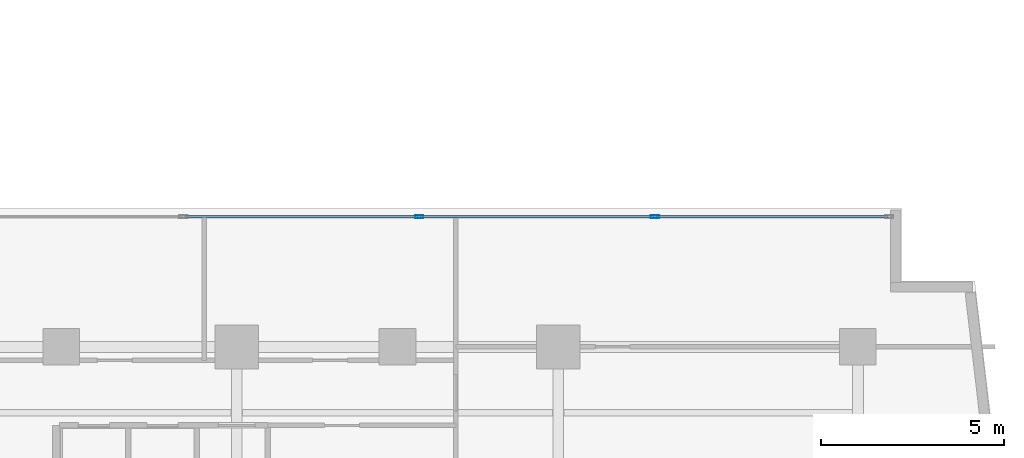
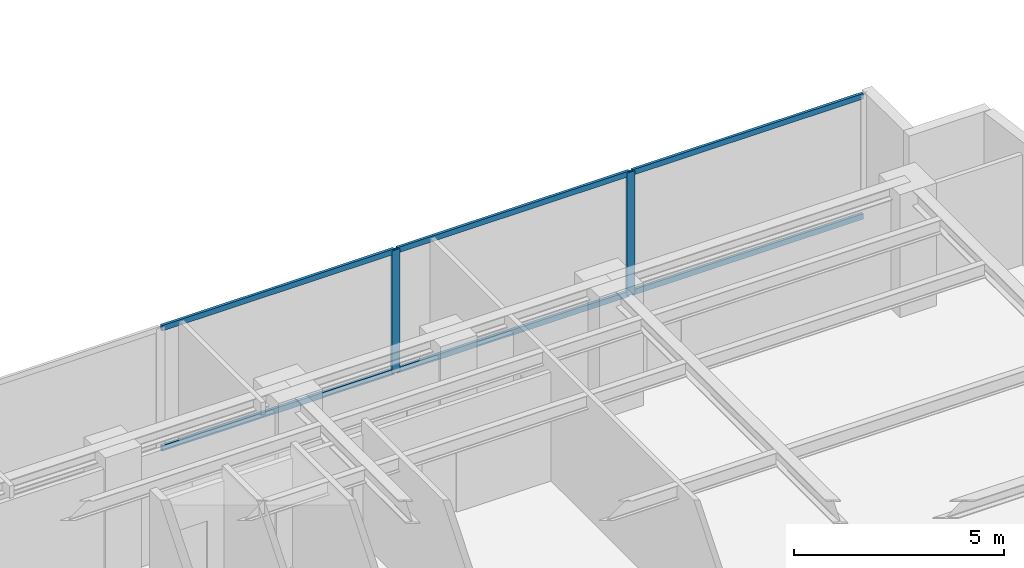
# One storey, part 13 of 24: 8 members, 1 element without a shape of its own.
"""IFC4 building model written with IfcOpenShell, lengths in metres."""

from ifc_helpers import new_model, si_unit, direction, frame, origin, origin_with_axes, origin_2d, place, context, subcontext, project, spatial, hollow_rectangle, extrude, source, transform, mapped, material, layer, layer_set, material_profile, profile_set, type_object, element, aggregate, save


model = new_model("IFC4")

# Units and contexts
model_context = context("Model", 3, precision=1e-05, world=origin(), true_north=direction((0.0, 1.0)))
body_context = subcontext(model_context, "Body", "Model", "MODEL_VIEW")
ifc_project = project(units=[si_unit("LENGTHUNIT", "METRE"), si_unit("AREAUNIT", "SQUARE_METRE"), si_unit("VOLUMEUNIT", "CUBIC_METRE"), si_unit("PLANEANGLEUNIT", "RADIAN"), si_unit("MASSUNIT", "GRAM", prefix="KILO")], contexts=[model_context])

# Site, building, storey
site_placement = place(None, origin())
site = spatial("IfcSite", under=ifc_project, at=site_placement, CompositionType="ELEMENT")
building_placement = place(site_placement, origin())
building = spatial("IfcBuilding", under=site, at=building_placement, Name="Kolvaren Waterfront Exchange", CompositionType="ELEMENT")
storey_placement = place(building_placement, frame((0.0, 0.0, 184.199951171875)))
storey = spatial("IfcBuildingStorey", under=building, at=storey_placement, Name="L47", CompositionType="ELEMENT", Elevation=184.199951171875)

# Curtain wall, members
ifc_material_1 = material(Name="Anodised bronze aluminium 6063-T6", Category="aluminium")
ifc_layer = layer(ifc_material_1, 0.219970703125, Name="Anodised bronze aluminium 6063-T6")
ifc_layer_set = layer_set([ifc_layer], Name="Anodised bronze aluminium 6063-T6")
curtain_wall_type = type_object("IfcCurtainWallType", Name="ARC-CW-SYS1", PredefinedType="USERDEFINED", material=ifc_layer_set)
curtain_wall_placement = place(storey_placement, origin())
curtain_wall = element("IfcCurtainWall", 1, at=curtain_wall_placement, inside=storey, type_object=curtain_wall_type, Name="L47 stick curtain wall CW1 (CW-L47-EN)", ObjectType="STICK CURTAIN WALL", PredefinedType="USERDEFINED")
ifc_material_2 = material(Name="Anodised aluminium 6063-T6", Category="aluminium")
ifc_material_profile_1 = material_profile(ifc_material_2, hollow_rectangle(XDim=0.080078125, YDim=0.219970703125, WallThickness=0.0048828125, at=origin_2d()), Name="ALU-MUL-220x80x5")
ifc_profile_set_1 = profile_set([ifc_material_profile_1], Name="Anodised aluminium 6063-T6")
member_type_1 = type_object("IfcMemberType", Name="ARC-CWM-220", PredefinedType="MULLION", material=ifc_profile_set_1)
shared_shape_1 = source(origin_with_axes(), body_context, "Body", "SweptSolid", [
    extrude(hollow_rectangle(XDim=0.080078125, YDim=0.219970703125, WallThickness=0.0048828125, at=origin_2d()), origin(), (0.0, 0.0, 1.0), 3.56005859375),
])
member_1_placement = place(storey_placement, frame((41.794921875, 20.9599609375, 0.0), z_axis=(0.0, 0.0, 1.0), x_axis=(0.0, 1.0, 0.0)))
member_1 = element("IfcMember", 2, at=member_1_placement, type_object=member_type_1, Name="CW1 mullion 3", PredefinedType="MULLION", context=body_context, shape_type="MappedRepresentation", body=[
    mapped(shared_shape_1, transform((0.0, 0.0, 0.0), x_axis=(1.0, 0.0, 0.0), y_axis=(0.0, 1.0, 0.0), z_axis=(0.0, 0.0, 1.0), scale=1.0)),
])
member_2_placement = place(storey_placement, frame((48.24755859375, 20.9599609375, 0.0), z_axis=(0.0, 0.0, 1.0), x_axis=(0.0, 1.0, 0.0)))
member_2 = element("IfcMember", 3, at=member_2_placement, type_object=member_type_1, Name="CW1 mullion 4", PredefinedType="MULLION", context=body_context, shape_type="MappedRepresentation", body=[
    mapped(shared_shape_1, transform((0.0, 0.0, 0.0), x_axis=(1.0, 0.0, 0.0), y_axis=(0.0, 1.0, 0.0), z_axis=(0.0, 0.0, 1.0), scale=1.0)),
])
ifc_material_profile_2 = material_profile(ifc_material_2, hollow_rectangle(XDim=0.074951171875, YDim=0.159912109375, WallThickness=0.00439453125, at=origin_2d()), Name="ALU-TRN-160x75x4.5")
ifc_profile_set_2 = profile_set([ifc_material_profile_2], Name="Anodised aluminium 6063-T6")
member_type_2 = type_object("IfcMemberType", Name="ARC-CWT-160", PredefinedType="USERDEFINED", material=ifc_profile_set_2)
shared_shape_2 = source(origin_with_axes(), body_context, "Body", "SweptSolid", [
    extrude(hollow_rectangle(XDim=0.074951171875, YDim=0.159912109375, WallThickness=0.00439453125, at=origin_2d()), origin(), (0.0, 0.0, 1.0), 6.33251953125),
])
member_3_placement = place(storey_placement, frame((48.28759765625, 20.9599609375, 0.03759765625), z_axis=(1.0, 0.0, 0.0), x_axis=(0.0, 1.0, 0.0)))
member_3 = element("IfcMember", 4, at=member_3_placement, type_object=member_type_2, Name="CW1 transom 4.1", ObjectType="TRANSOM", PredefinedType="USERDEFINED", context=body_context, shape_type="MappedRepresentation", body=[
    mapped(shared_shape_2, transform((0.0, 0.0, 0.0), x_axis=(1.0, 0.0, 0.0), y_axis=(0.0, 1.0, 0.0), z_axis=(0.0, 0.0, 1.0), scale=1.0)),
])
member_4_placement = place(storey_placement, frame((48.28759765625, 20.9599609375, 3.5224609375), z_axis=(1.0, 0.0, 0.0), x_axis=(0.0, 1.0, 0.0)))
member_4 = element("IfcMember", 5, at=member_4_placement, type_object=member_type_2, Name="CW1 transom 4.2", ObjectType="TRANSOM", PredefinedType="USERDEFINED", context=body_context, shape_type="MappedRepresentation", body=[
    mapped(shared_shape_2, transform((0.0, 0.0, 0.0), x_axis=(1.0, 0.0, 0.0), y_axis=(0.0, 1.0, 0.0), z_axis=(0.0, 0.0, 1.0), scale=1.0)),
])
shared_shape_3 = source(origin_with_axes(), body_context, "Body", "SweptSolid", [
    extrude(hollow_rectangle(XDim=0.074951171875, YDim=0.159912109375, WallThickness=0.00439453125, at=origin_2d()), origin(), (0.0, 0.0, 1.0), 6.372314453125),
])
member_5_placement = place(storey_placement, frame((35.382568359375, 20.9599609375, 0.03759765625), z_axis=(1.0, 0.0, 0.0), x_axis=(0.0, 1.0, 0.0)))
member_5 = element("IfcMember", 6, at=member_5_placement, type_object=member_type_2, Name="CW1 transom 2.1", ObjectType="TRANSOM", PredefinedType="USERDEFINED", context=body_context, shape_type="MappedRepresentation", body=[
    mapped(shared_shape_3, transform((0.0, 0.0, 0.0), x_axis=(1.0, 0.0, 0.0), y_axis=(0.0, 1.0, 0.0), z_axis=(0.0, 0.0, 1.0), scale=1.0)),
])
member_6_placement = place(storey_placement, frame((35.382568359375, 20.9599609375, 3.5224609375), z_axis=(1.0, 0.0, 0.0), x_axis=(0.0, 1.0, 0.0)))
member_6 = element("IfcMember", 7, at=member_6_placement, type_object=member_type_2, Name="CW1 transom 2.2", ObjectType="TRANSOM", PredefinedType="USERDEFINED", context=body_context, shape_type="MappedRepresentation", body=[
    mapped(shared_shape_3, transform((0.0, 0.0, 0.0), x_axis=(1.0, 0.0, 0.0), y_axis=(0.0, 1.0, 0.0), z_axis=(0.0, 0.0, 1.0), scale=1.0)),
])
shared_shape_4 = source(origin_with_axes(), body_context, "Body", "SweptSolid", [
    extrude(hollow_rectangle(XDim=0.074951171875, YDim=0.159912109375, WallThickness=0.00439453125, at=origin_2d()), origin(), (0.0, 0.0, 1.0), 6.37255859375),
])
member_7_placement = place(storey_placement, frame((41.8349609375, 20.9599609375, 0.03759765625), z_axis=(1.0, 0.0, 0.0), x_axis=(0.0, 1.0, 0.0)))
member_7 = element("IfcMember", 8, at=member_7_placement, type_object=member_type_2, Name="CW1 transom 3.1", ObjectType="TRANSOM", PredefinedType="USERDEFINED", context=body_context, shape_type="MappedRepresentation", body=[
    mapped(shared_shape_4, transform((0.0, 0.0, 0.0), x_axis=(1.0, 0.0, 0.0), y_axis=(0.0, 1.0, 0.0), z_axis=(0.0, 0.0, 1.0), scale=1.0)),
])
member_8_placement = place(storey_placement, frame((41.8349609375, 20.9599609375, 3.5224609375), z_axis=(1.0, 0.0, 0.0), x_axis=(0.0, 1.0, 0.0)))
member_8 = element("IfcMember", 9, at=member_8_placement, type_object=member_type_2, Name="CW1 transom 3.2", ObjectType="TRANSOM", PredefinedType="USERDEFINED", context=body_context, shape_type="MappedRepresentation", body=[
    mapped(shared_shape_4, transform((0.0, 0.0, 0.0), x_axis=(1.0, 0.0, 0.0), y_axis=(0.0, 1.0, 0.0), z_axis=(0.0, 0.0, 1.0), scale=1.0)),
])
aggregate(curtain_wall, [member_1, member_2, member_5, member_6, member_7, member_8, member_3, member_4])

save(model, "model.ifc")
